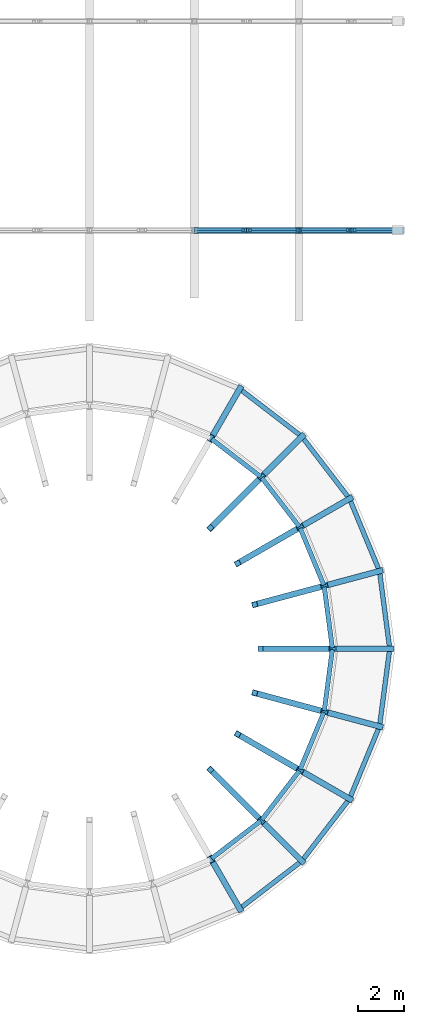
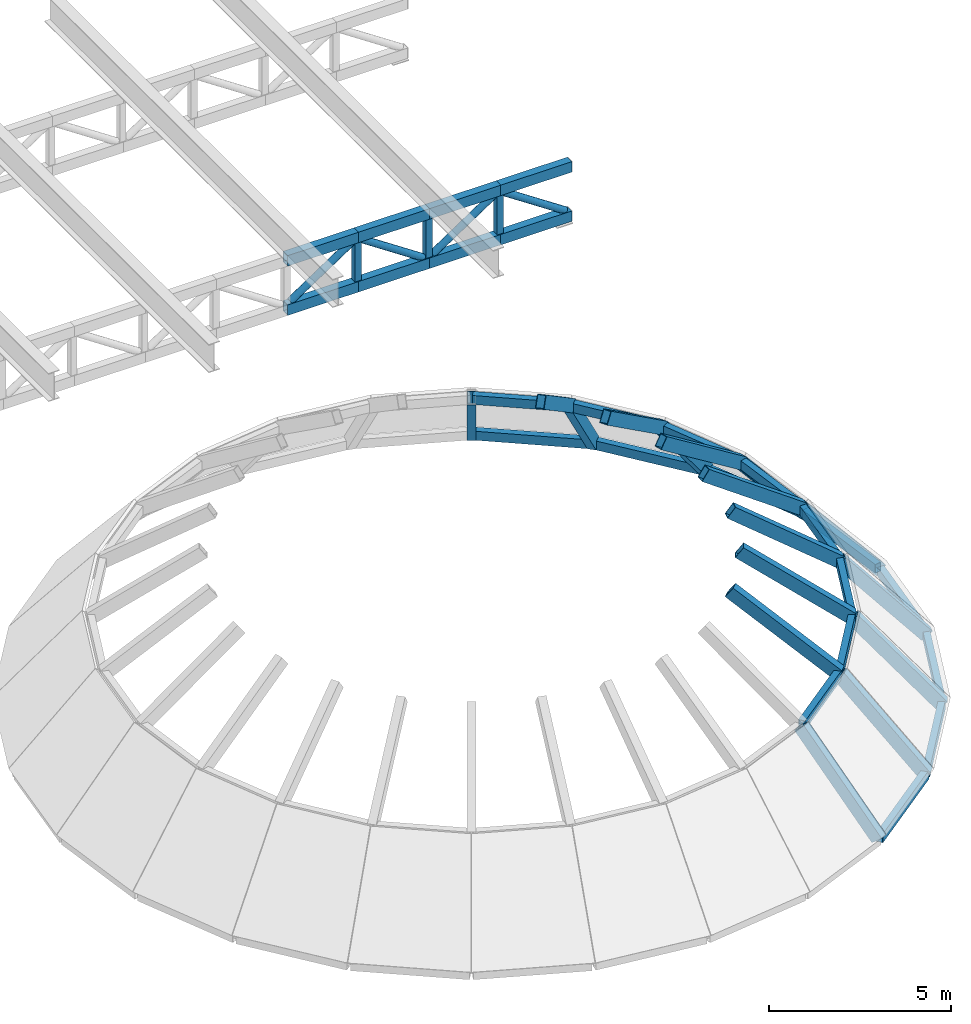
# One storey, part 5 of 20: 32 beams, 15 members.
"""IFC4 building model written with IfcOpenShell, lengths in metres."""

from ifc_helpers import new_model, si_unit, direction, frame, origin, origin_2d, place, context, subcontext, project, spatial, hollow_rectangle, hollow_circle, extrude, material, material_profile, profile_set, type_object, element, save


model = new_model("IFC4")

# Units and contexts
model_context = context("Model", 3, precision=1e-05, world=origin(), true_north=direction((0.0, 1.0)))
body_context = subcontext(model_context, "Body", "Model", "MODEL_VIEW")
ifc_project = project(units=[si_unit("LENGTHUNIT", "METRE"), si_unit("AREAUNIT", "SQUARE_METRE"), si_unit("VOLUMEUNIT", "CUBIC_METRE"), si_unit("PLANEANGLEUNIT", "RADIAN"), si_unit("MASSUNIT", "GRAM", prefix="KILO")], contexts=[model_context])

# Site, building, storey
site_placement = place(None, origin())
site = spatial("IfcSite", under=ifc_project, at=site_placement, CompositionType="ELEMENT")
building_placement = place(site_placement, origin())
building = spatial("IfcBuilding", under=site, at=building_placement, Name="Firuza Court", CompositionType="ELEMENT")
storey_placement = place(building_placement, frame((0.0, 0.0, 29.0)))
storey = spatial("IfcBuildingStorey", under=building, at=storey_placement, Name="L05", CompositionType="ELEMENT", Elevation=29.0)

# Beams
ifc_material_1 = material(Name="Steel S355", Category="steel")
ifc_material_profile_1 = material_profile(ifc_material_1, hollow_rectangle(XDim=0.25, YDim=0.39990234375, WallThickness=0.01611328125, at=origin_2d()), Name="RHS 400X250X16")
ifc_profile_set_1 = profile_set([ifc_material_profile_1], Name="Steel S355")
beam_type_1 = type_object("IfcBeamType", Name="DOME RIB 250X400", PredefinedType="BEAM", material=ifc_profile_set_1)
beam_1_placement = place(storey_placement, frame((134.410400390625, 13.5, 0.427978515625), z_axis=(-0.645219939947, 0.0, 0.763996877674), x_axis=(0.0, -1.0, 0.0)))
element("IfcBeam", 1, at=beam_1_placement, inside=storey, type_object=beam_type_1, Name="RIB 1.1", PredefinedType="BEAM", context=body_context, shape_type="SweptSolid", body=[
    extrude(hollow_rectangle(XDim=0.25, YDim=0.39990234375, WallThickness=0.01611328125, at=origin_2d()), origin(), (0.0, 0.0, 1.0), 3.8046875),
])
beam_2_placement = place(storey_placement, frame((131.937255859375, 13.5, 3.3515625), z_axis=(-0.813293898818, 0.0, 0.581853103579), x_axis=(0.0, -1.0, 0.0)))
element("IfcBeam", 2, at=beam_2_placement, inside=storey, type_object=beam_type_1, Name="RIB 1.2", PredefinedType="BEAM", context=body_context, shape_type="SweptSolid", body=[
    extrude(hollow_rectangle(XDim=0.25, YDim=0.39990234375, WallThickness=0.01611328125, at=origin_2d()), origin(), (0.0, 0.0, 1.0), 3.792236328125),
])
beam_3_placement = place(storey_placement, frame((133.970458984375, 16.841552734375, 0.427978515625), z_axis=(-0.623254932935, -0.167026931991, 0.763973358542), x_axis=(0.25885703941, -0.965915644944, 0.0)))
element("IfcBeam", 3, at=beam_3_placement, inside=storey, type_object=beam_type_1, Name="RIB 2.1", PredefinedType="BEAM", context=body_context, shape_type="SweptSolid", body=[
    extrude(hollow_rectangle(XDim=0.25, YDim=0.39990234375, WallThickness=0.01611328125, at=origin_2d()), origin(), (0.0, 0.0, 1.0), 3.8046875),
])
beam_4_placement = place(storey_placement, frame((131.581787109375, 16.201416015625, 3.3515625), z_axis=(-0.78558928621, -0.210511920504, 0.581836922787), x_axis=(0.258834997471, -0.965921551724, 0.0)))
element("IfcBeam", 4, at=beam_4_placement, inside=storey, type_object=beam_type_1, Name="RIB 2.2", PredefinedType="BEAM", context=body_context, shape_type="SweptSolid", body=[
    extrude(hollow_rectangle(XDim=0.25, YDim=0.39990234375, WallThickness=0.01611328125, at=origin_2d()), origin(), (0.0, 0.0, 1.0), 3.79248046875),
])
beam_5_placement = place(storey_placement, frame((132.6806640625, 19.955322265625, 0.427978515625), z_axis=(-0.558776131154, -0.322637389463, 0.763985831134), x_axis=(0.500032359733, -0.866006720078, 0.0)))
element("IfcBeam", 5, at=beam_5_placement, inside=storey, type_object=beam_type_1, Name="RIB 3.1", PredefinedType="BEAM", context=body_context, shape_type="SweptSolid", body=[
    extrude(hollow_rectangle(XDim=0.25, YDim=0.39990234375, WallThickness=0.01611328125, at=origin_2d()), origin(), (0.0, 0.0, 1.0), 3.8046875),
])
beam_6_placement = place(storey_placement, frame((130.5390625, 18.71875, 3.3515625), z_axis=(-0.704340212589, -0.406664575717, 0.581832267743), x_axis=(0.500012508461, -0.866018181901, 0.0)))
element("IfcBeam", 6, at=beam_6_placement, inside=storey, type_object=beam_type_1, Name="RIB 3.2", PredefinedType="BEAM", context=body_context, shape_type="SweptSolid", body=[
    extrude(hollow_rectangle(XDim=0.25, YDim=0.39990234375, WallThickness=0.01611328125, at=origin_2d()), origin(), (0.0, 0.0, 1.0), 3.79248046875),
])
beam_7_placement = place(storey_placement, frame((130.629150390625, 22.629150390625, 0.427978515625), z_axis=(-0.456278393703, -0.456278393703, 0.76395029608), x_axis=(0.707106781187, -0.707106781187, 0.0)))
element("IfcBeam", 7, at=beam_7_placement, inside=storey, type_object=beam_type_1, Name="RIB 4.1", PredefinedType="BEAM", context=body_context, shape_type="SweptSolid", body=[
    extrude(hollow_rectangle(XDim=0.25, YDim=0.39990234375, WallThickness=0.01611328125, at=origin_2d()), origin(), (0.0, 0.0, 1.0), 3.804931640625),
])
beam_8_placement = place(storey_placement, frame((128.88037109375, 20.88037109375, 3.3515625), z_axis=(-0.575088247108, -0.575088247108, 0.58184793209), x_axis=(0.707106781187, -0.707106781187, 0.0)))
element("IfcBeam", 8, at=beam_8_placement, inside=storey, type_object=beam_type_1, Name="RIB 4.2", PredefinedType="BEAM", context=body_context, shape_type="SweptSolid", body=[
    extrude(hollow_rectangle(XDim=0.25, YDim=0.39990234375, WallThickness=0.01611328125, at=origin_2d()), origin(), (0.0, 0.0, 1.0), 3.792236328125),
])
for number, where, z_axis, x_axis, name in (
    (9, (127.955322265625, 24.6806640625, 0.427978515625), (-0.322637389463, -0.558776131154, 0.763985831134), (0.866006720078, -0.500032359733, 0.0), "RIB 5.1"),
    (10, (127.955322265625, 2.3193359375, 0.427978515625), (-0.322637389463, 0.558776131154, 0.763985831134), (-0.866006720078, -0.500032359733, 0.0), "RIB 21.1"),
):
    element("IfcBeam", number, at=place(storey_placement, frame(where, z_axis=z_axis, x_axis=x_axis)), inside=storey, type_object=beam_type_1, Name=name, PredefinedType="BEAM", context=body_context, shape_type="SweptSolid", body=[
        extrude(hollow_rectangle(XDim=0.25, YDim=0.39990234375, WallThickness=0.01611328125, at=origin_2d()), origin(), (0.0, 0.0, 1.0), 3.8046875),
    ])
beam_9_placement = place(storey_placement, frame((130.629150390625, 4.370849609375, 0.427978515625), z_axis=(-0.456278393703, 0.456278393703, 0.76395029608), x_axis=(-0.707106781187, -0.707106781187, 0.0)))
element("IfcBeam", 11, at=beam_9_placement, inside=storey, type_object=beam_type_1, Name="RIB 22.1", PredefinedType="BEAM", context=body_context, shape_type="SweptSolid", body=[
    extrude(hollow_rectangle(XDim=0.25, YDim=0.39990234375, WallThickness=0.01611328125, at=origin_2d()), origin(), (0.0, 0.0, 1.0), 3.804931640625),
])
beam_10_placement = place(storey_placement, frame((128.88037109375, 6.11962890625, 3.3515625), z_axis=(-0.575088247108, 0.575088247108, 0.58184793209), x_axis=(-0.707106781187, -0.707106781187, 0.0)))
element("IfcBeam", 12, at=beam_10_placement, inside=storey, type_object=beam_type_1, Name="RIB 22.2", PredefinedType="BEAM", context=body_context, shape_type="SweptSolid", body=[
    extrude(hollow_rectangle(XDim=0.25, YDim=0.39990234375, WallThickness=0.01611328125, at=origin_2d()), origin(), (0.0, 0.0, 1.0), 3.792236328125),
])
beam_11_placement = place(storey_placement, frame((132.6806640625, 7.044677734375, 0.427978515625), z_axis=(-0.558776131154, 0.322637389463, 0.763985831134), x_axis=(-0.500032359733, -0.866006720078, 0.0)))
element("IfcBeam", 13, at=beam_11_placement, inside=storey, type_object=beam_type_1, Name="RIB 23.1", PredefinedType="BEAM", context=body_context, shape_type="SweptSolid", body=[
    extrude(hollow_rectangle(XDim=0.25, YDim=0.39990234375, WallThickness=0.01611328125, at=origin_2d()), origin(), (0.0, 0.0, 1.0), 3.8046875),
])
beam_12_placement = place(storey_placement, frame((130.5390625, 8.28125, 3.3515625), z_axis=(-0.704340212589, 0.406664575717, 0.581832267743), x_axis=(-0.500012508461, -0.866018181901, 0.0)))
element("IfcBeam", 14, at=beam_12_placement, inside=storey, type_object=beam_type_1, Name="RIB 23.2", PredefinedType="BEAM", context=body_context, shape_type="SweptSolid", body=[
    extrude(hollow_rectangle(XDim=0.25, YDim=0.39990234375, WallThickness=0.01611328125, at=origin_2d()), origin(), (0.0, 0.0, 1.0), 3.79248046875),
])
beam_13_placement = place(storey_placement, frame((133.970458984375, 10.158447265625, 0.427978515625), z_axis=(-0.623254932935, 0.167026931991, 0.763973358542), x_axis=(-0.25885703941, -0.965915644944, 0.0)))
element("IfcBeam", 15, at=beam_13_placement, inside=storey, type_object=beam_type_1, Name="RIB 24.1", PredefinedType="BEAM", context=body_context, shape_type="SweptSolid", body=[
    extrude(hollow_rectangle(XDim=0.25, YDim=0.39990234375, WallThickness=0.01611328125, at=origin_2d()), origin(), (0.0, 0.0, 1.0), 3.8046875),
])
beam_14_placement = place(storey_placement, frame((131.581787109375, 10.798583984375, 3.3515625), z_axis=(-0.78558928621, 0.210511920504, 0.581836922787), x_axis=(-0.258834997471, -0.965921551724, 0.0)))
element("IfcBeam", 16, at=beam_14_placement, inside=storey, type_object=beam_type_1, Name="RIB 24.2", PredefinedType="BEAM", context=body_context, shape_type="SweptSolid", body=[
    extrude(hollow_rectangle(XDim=0.25, YDim=0.39990234375, WallThickness=0.01611328125, at=origin_2d()), origin(), (0.0, 0.0, 1.0), 3.79248046875),
])
ifc_material_2 = material(Name="Steel S355", Category="steel")
ifc_material_profile_2 = material_profile(ifc_material_2, hollow_rectangle(XDim=0.199951171875, YDim=0.300048828125, WallThickness=0.010009765625, at=origin_2d()), Name="RHS 300X200X10")
ifc_profile_set_2 = profile_set([ifc_material_profile_2], Name="Steel S355")
beam_type_2 = type_object("IfcBeamType", Name="DOME RING MEMBER 200X300", PredefinedType="BEAM", material=ifc_profile_set_2)
for number, where, z_axis, x_axis, name in (
    (17, (134.4052734375, 13.53955078125, 0.427978515625), (-0.130515932273, 0.991446212068, 0.0), (-0.991446212068, -0.130515932273, 0.0), "Dome ring member 0.1"),
    (18, (133.955322265625, 16.87841796875, 0.427978515625), (-0.382723138046, 0.92386308488, 0.0), (-0.92386308488, -0.382723138046, 0.0), "Dome ring member 0.2"),
    (19, (132.656494140625, 19.987060546875, 0.427978515625), (-0.608795979936, 0.793326827237, 0.0), (-0.793326827237, -0.608795979936, 0.0), "Dome ring member 0.3"),
    (20, (130.597412109375, 22.6533203125, 0.427978515625), (-0.793326827237, 0.608795979936, 0.0), (-0.608795979936, -0.793326827237, 0.0), "Dome ring member 0.4"),
    (21, (127.987060546875, 2.343505859375, 0.427978515625), (0.793326827237, 0.608795979936, 0.0), (-0.608795979936, 0.793326827237, 0.0), "Dome ring member 0.21"),
    (22, (130.6533203125, 4.402587890625, 0.427978515625), (0.608795979936, 0.793326827237, 0.0), (-0.793326827237, 0.608795979936, 0.0), "Dome ring member 0.22"),
    (23, (132.696044921875, 7.081787109375, 0.427978515625), (0.382723138046, 0.92386308488, 0.0), (-0.92386308488, 0.382723138046, 0.0), "Dome ring member 0.23"),
    (24, (133.975830078125, 10.1982421875, 0.427978515625), (0.130515932273, 0.991446212068, 0.0), (-0.991446212068, 0.130515932273, 0.0), "Dome ring member 0.24"),
):
    element("IfcBeam", number, at=place(storey_placement, frame(where, z_axis=z_axis, x_axis=x_axis)), inside=storey, type_object=beam_type_2, Name=name, PredefinedType="BEAM", context=body_context, shape_type="SweptSolid", body=[
        extrude(hollow_rectangle(XDim=0.199951171875, YDim=0.300048828125, WallThickness=0.010009765625, at=origin_2d()), origin(), (0.0, 0.0, 1.0), 3.290283203125),
    ])
for number, where, z_axis, x_axis, name in (
    (25, (131.942138671875, 13.53955078125, 3.34423828125), (-0.130490295329, 0.991449586628, 0.0), (-0.991449586628, -0.130490295329, 0.0), "Dome ring member 1.1"),
    (26, (131.576171875, 16.240966796875, 3.34423828125), (-0.382715589834, 0.923866211796, 0.0), (-0.923866211796, -0.382715589834, 0.0), "Dome ring member 1.2"),
    (27, (130.5234375, 18.75537109375, 3.34423828125), (-0.608743198513, 0.793367328709, 0.0), (-0.793367328709, -0.608743198513, 0.0), "Dome ring member 1.3"),
    (28, (128.855712890625, 20.911865234375, 3.34423828125), (-0.793367328709, 0.608743198513, 0.0), (-0.608743198513, -0.793367328709, 0.0), "Dome ring member 1.4"),
    (29, (126.75537109375, 4.4765625, 3.34423828125), (0.793367328709, 0.608743198513, 0.0), (-0.608743198513, 0.793367328709, 0.0), "Dome ring member 1.21"),
    (30, (128.911865234375, 6.144287109375, 3.34423828125), (0.608743198513, 0.793367328709, 0.0), (-0.793367328709, 0.608743198513, 0.0), "Dome ring member 1.22"),
    (31, (130.56298828125, 8.313232421875, 3.34423828125), (0.382715589834, 0.923866211796, 0.0), (-0.923866211796, 0.382715589834, 0.0), "Dome ring member 1.23"),
    (32, (131.5966796875, 10.835693359375, 3.34423828125), (0.130490295329, 0.991449586628, 0.0), (-0.991449586628, 0.130490295329, 0.0), "Dome ring member 1.24"),
):
    element("IfcBeam", number, at=place(storey_placement, frame(where, z_axis=z_axis, x_axis=x_axis)), inside=storey, type_object=beam_type_2, Name=name, PredefinedType="BEAM", context=body_context, shape_type="SweptSolid", body=[
        extrude(hollow_rectangle(XDim=0.199951171875, YDim=0.300048828125, WallThickness=0.010009765625, at=origin_2d()), origin(), (0.0, 0.0, 1.0), 2.6474609375),
    ])

# Members
ifc_material_3 = material(Name="Steel S355", Category="steel")
ifc_material_profile_3 = material_profile(ifc_material_3, hollow_rectangle(XDim=0.199951171875, YDim=0.199951171875, WallThickness=0.010009765625, at=origin_2d()), Name="RHS 200X200X10")
ifc_profile_set_3 = profile_set([ifc_material_profile_3], Name="Steel S355")
member_type_1 = type_object("IfcMemberType", Name="STEEL BOX 200X200X10", PredefinedType="BRACE", material=ifc_profile_set_3)
for number, where, z_axis, x_axis, name in (
    (33, (128.25, 31.5, 1.35009765625), (0.0, 0.0, 1.0), (1.0, 0.0, 0.0), "Truss 1 post 9"),
    (34, (130.5, 31.5, 1.35009765625), (0.0, 0.0, 1.0), (1.0, 0.0, 0.0), "Truss 1 post 10"),
    (35, (132.75, 31.5, 1.35009765625), (0.0, 0.0, 1.0), (1.0, 0.0, 0.0), "Truss 1 post 11"),
):
    element("IfcMember", number, at=place(storey_placement, frame(where, z_axis=z_axis, x_axis=x_axis)), inside=storey, type_object=member_type_1, Name=name, PredefinedType="POST", context=body_context, shape_type="SweptSolid", body=[
        extrude(hollow_rectangle(XDim=0.199951171875, YDim=0.199951171875, WallThickness=0.010009765625, at=origin_2d()), origin(), (0.0, 0.0, 1.0), 1.2998046875),
    ])
ifc_material_4 = material(Name="Steel S355", Category="steel")
ifc_material_profile_4 = material_profile(ifc_material_4, hollow_rectangle(XDim=0.25, YDim=0.35009765625, WallThickness=0.01611328125, at=origin_2d()), Name="RHS 350X250X16")
ifc_profile_set_4 = profile_set([ifc_material_profile_4], Name="Steel S355")
member_type_2 = type_object("IfcMemberType", Name="STEEL BOX 350X250X16", PredefinedType="BRACE", material=ifc_profile_set_4)
for number, where, z_axis, x_axis, name in (
    (36, (126.0, 31.5, 1.175048828125), (1.0, 0.0, 0.0), (0.0, 1.0, 0.0), "Truss 1 bottom chord 9"),
    (37, (126.0, 31.5, 2.824951171875), (1.0, 0.0, 0.0), (0.0, 1.0, 0.0), "Truss 1 top chord 9"),
    (38, (128.25, 31.5, 1.175048828125), (1.0, 0.0, 0.0), (0.0, 1.0, 0.0), "Truss 1 bottom chord 10"),
    (39, (128.25, 31.5, 2.824951171875), (1.0, 0.0, 0.0), (0.0, 1.0, 0.0), "Truss 1 top chord 10"),
    (40, (130.5, 31.5, 1.175048828125), (1.0, 0.0, 0.0), (0.0, 1.0, 0.0), "Truss 1 bottom chord 11"),
    (41, (130.5, 31.5, 2.824951171875), (1.0, 0.0, 0.0), (0.0, 1.0, 0.0), "Truss 1 top chord 11"),
    (42, (132.75, 31.5, 1.175048828125), (1.0, 0.0, 0.0), (0.0, 1.0, 0.0), "Truss 1 bottom chord 12"),
    (43, (132.75, 31.5, 2.824951171875), (1.0, 0.0, 0.0), (0.0, 1.0, 0.0), "Truss 1 top chord 12"),
):
    element("IfcMember", number, at=place(storey_placement, frame(where, z_axis=z_axis, x_axis=x_axis)), inside=storey, type_object=member_type_2, Name=name, PredefinedType="CHORD", context=body_context, shape_type="SweptSolid", body=[
        extrude(hollow_rectangle(XDim=0.25, YDim=0.35009765625, WallThickness=0.01611328125, at=origin_2d()), origin(), (0.0, 0.0, 1.0), 2.25),
    ])
ifc_material_5 = material(Name="Steel S355", Category="steel")
ifc_material_profile_5 = material_profile(ifc_material_5, hollow_circle(Radius=0.109619140625, WallThickness=0.010009765625, at=origin_2d()), Name="CHS 219X10")
ifc_profile_set_5 = profile_set([ifc_material_profile_5], Name="Steel S355")
member_type_3 = type_object("IfcMemberType", Name="STEEL TUBE 219X10", PredefinedType="BRACE", material=ifc_profile_set_5)
for number, where, z_axis, x_axis, name in (
    (44, (126.14990234375, 31.5, 1.35009765625), (0.832114393738, 0.0, 0.554604035086), (0.0, 1.0, 0.0), "Truss 1 diagonal 9"),
    (45, (128.39990234375, 31.5, 2.64990234375), (0.832114393738, 0.0, -0.554604035086), (0.0, 1.0, 0.0), "Truss 1 diagonal 10"),
    (46, (130.64990234375, 31.5, 1.35009765625), (0.832114393738, 0.0, 0.554604035086), (0.0, 1.0, 0.0), "Truss 1 diagonal 11"),
    (47, (132.89990234375, 31.5, 2.64990234375), (0.832114393738, 0.0, -0.554604035086), (0.0, 1.0, 0.0), "Truss 1 diagonal 12"),
):
    element("IfcMember", number, at=place(storey_placement, frame(where, z_axis=z_axis, x_axis=x_axis)), inside=storey, type_object=member_type_3, Name=name, PredefinedType="BRACE", context=body_context, shape_type="SweptSolid", body=[
        extrude(hollow_circle(Radius=0.109619140625, WallThickness=0.010009765625, at=origin_2d()), origin(), (0.0, 0.0, 1.0), 2.34375),
    ])

save(model, "model.ifc")
